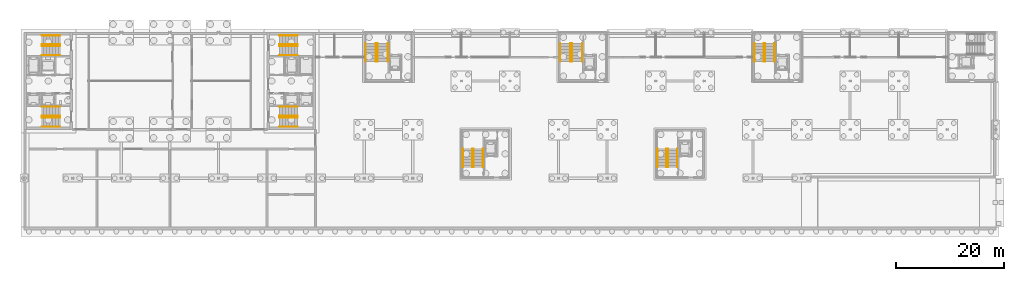
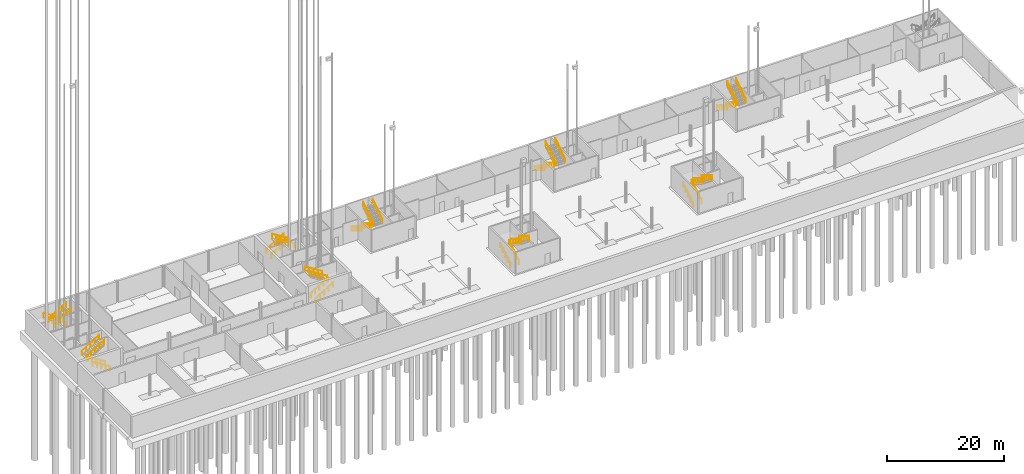
# One storey, part 38 of 41: 36 railings.
"""IFC4 building model written with IfcOpenShell, lengths in metres."""

from ifc_helpers import new_model, si_unit, direction, frame, origin, origin_2d, place, context, subcontext, project, spatial, circle, extrude, material, type_object, element, save


model = new_model("IFC4")

# Units and contexts
model_context = context("Model", 3, precision=1e-05, world=origin(), true_north=direction((0.0, 1.0)))
body_context = subcontext(model_context, "Body", "Model", "MODEL_VIEW")
ifc_project = project(units=[si_unit("LENGTHUNIT", "METRE"), si_unit("AREAUNIT", "SQUARE_METRE"), si_unit("VOLUMEUNIT", "CUBIC_METRE"), si_unit("PLANEANGLEUNIT", "RADIAN"), si_unit("MASSUNIT", "GRAM", prefix="KILO")], contexts=[model_context])

# Site, building, storey
site_placement = place(None, origin())
site = spatial("IfcSite", under=ifc_project, at=site_placement, CompositionType="ELEMENT")
building_placement = place(site_placement, origin())
building = spatial("IfcBuilding", under=site, at=building_placement, Name="Corbel Yard City Hall", CompositionType="ELEMENT")
storey_placement = place(building_placement, frame((0.0, 0.0, -4.5)))
storey = spatial("IfcBuildingStorey", under=building, at=storey_placement, Name="B1", CompositionType="ELEMENT", Elevation=-4.5)

# Railings
ifc_material = material(Name="Stainless steel Grade 316", Category="steel")
railing_type = type_object("IfcRailingType", Name="HR1", PredefinedType="HANDRAIL", material=ifc_material)
for number, where, name in (
    (1, (63.300048828125, 114.949951171875, 0.173095703125), "Exit stair handrail"),
    (2, (65.199951171875, 114.949951171875, 0.173095703125), "Exit stair handrail"),
):
    element("IfcRailing", number, at=place(storey_placement, frame(where)), inside=storey, type_object=railing_type, Name=name, PredefinedType="HANDRAIL", context=body_context, shape_type="SweptSolid", body=[
        extrude(circle(Radius=0.02392578125, at=origin_2d()), frame((0.0, 0.0, 0.8759765625), z_axis=(0.0, -0.850606129759, 0.525803396734), x_axis=(1.0, 0.0, 0.0)), (0.0, 0.0, 1.0), 3.949951171875),
        extrude(circle(Radius=0.02099609375, at=origin_2d()), origin(), (0.0, 0.0, 1.0), 0.851806640625),
        extrude(circle(Radius=0.02099609375, at=origin_2d()), frame((0.0, -0.83984375, 0.519287109375)), (0.0, 0.0, 1.0), 0.851806640625),
        extrude(circle(Radius=0.02099609375, at=origin_2d()), frame((0.0, -1.679931640625, 1.03857421875)), (0.0, 0.0, 1.0), 0.851806640625),
        extrude(circle(Radius=0.02099609375, at=origin_2d()), frame((0.0, -2.52001953125, 1.5576171875)), (0.0, 0.0, 1.0), 0.851806640625),
        extrude(circle(Radius=0.02099609375, at=origin_2d()), frame((0.0, -3.35986328125, 2.076904296875)), (0.0, 0.0, 1.0), 0.851806640625),
    ])
for number, where, name in (
    (3, (65.5, 111.590087890625, 2.423095703125), "Exit stair handrail"),
    (4, (67.39990234375, 111.590087890625, 2.423095703125), "Exit stair handrail"),
):
    element("IfcRailing", number, at=place(storey_placement, frame(where)), inside=storey, type_object=railing_type, Name=name, PredefinedType="HANDRAIL", context=body_context, shape_type="SweptSolid", body=[
        extrude(circle(Radius=0.02392578125, at=origin_2d()), frame((0.0, 0.0, 0.8759765625), z_axis=(0.0, 0.850606129759, 0.525803396734), x_axis=(-1.0, 0.0, 0.0)), (0.0, 0.0, 1.0), 3.949951171875),
        extrude(circle(Radius=0.02099609375, at=origin_2d()), origin(), (0.0, 0.0, 1.0), 0.851806640625),
        extrude(circle(Radius=0.02099609375, at=origin_2d()), frame((0.0, 0.83984375, 0.519287109375)), (0.0, 0.0, 1.0), 0.851806640625),
        extrude(circle(Radius=0.02099609375, at=origin_2d()), frame((0.0, 1.679931640625, 1.03857421875)), (0.0, 0.0, 1.0), 0.851806640625),
        extrude(circle(Radius=0.02099609375, at=origin_2d()), frame((0.0, 2.52001953125, 1.5576171875)), (0.0, 0.0, 1.0), 0.851806640625),
        extrude(circle(Radius=0.02099609375, at=origin_2d()), frame((0.0, 3.35986328125, 2.076904296875)), (0.0, 0.0, 1.0), 0.851806640625),
    ])
for number, where, name in (
    (5, (99.300048828125, 114.949951171875, 0.173095703125), "Exit stair handrail"),
    (6, (101.199951171875, 114.949951171875, 0.173095703125), "Exit stair handrail"),
):
    element("IfcRailing", number, at=place(storey_placement, frame(where)), inside=storey, type_object=railing_type, Name=name, PredefinedType="HANDRAIL", context=body_context, shape_type="SweptSolid", body=[
        extrude(circle(Radius=0.02392578125, at=origin_2d()), frame((0.0, 0.0, 0.8759765625), z_axis=(0.0, -0.850606129759, 0.525803396734), x_axis=(1.0, 0.0, 0.0)), (0.0, 0.0, 1.0), 3.949951171875),
        extrude(circle(Radius=0.02099609375, at=origin_2d()), origin(), (0.0, 0.0, 1.0), 0.851806640625),
        extrude(circle(Radius=0.02099609375, at=origin_2d()), frame((0.0, -0.83984375, 0.519287109375)), (0.0, 0.0, 1.0), 0.851806640625),
        extrude(circle(Radius=0.02099609375, at=origin_2d()), frame((0.0, -1.679931640625, 1.03857421875)), (0.0, 0.0, 1.0), 0.851806640625),
        extrude(circle(Radius=0.02099609375, at=origin_2d()), frame((0.0, -2.52001953125, 1.5576171875)), (0.0, 0.0, 1.0), 0.851806640625),
        extrude(circle(Radius=0.02099609375, at=origin_2d()), frame((0.0, -3.35986328125, 2.076904296875)), (0.0, 0.0, 1.0), 0.851806640625),
    ])
for number, where, name in (
    (7, (101.5, 111.590087890625, 2.423095703125), "Exit stair handrail"),
    (8, (103.39990234375, 111.590087890625, 2.423095703125), "Exit stair handrail"),
):
    element("IfcRailing", number, at=place(storey_placement, frame(where)), inside=storey, type_object=railing_type, Name=name, PredefinedType="HANDRAIL", context=body_context, shape_type="SweptSolid", body=[
        extrude(circle(Radius=0.02392578125, at=origin_2d()), frame((0.0, 0.0, 0.8759765625), z_axis=(0.0, 0.850606129759, 0.525803396734), x_axis=(-1.0, 0.0, 0.0)), (0.0, 0.0, 1.0), 3.949951171875),
        extrude(circle(Radius=0.02099609375, at=origin_2d()), origin(), (0.0, 0.0, 1.0), 0.851806640625),
        extrude(circle(Radius=0.02099609375, at=origin_2d()), frame((0.0, 0.83984375, 0.519287109375)), (0.0, 0.0, 1.0), 0.851806640625),
        extrude(circle(Radius=0.02099609375, at=origin_2d()), frame((0.0, 1.679931640625, 1.03857421875)), (0.0, 0.0, 1.0), 0.851806640625),
        extrude(circle(Radius=0.02099609375, at=origin_2d()), frame((0.0, 2.52001953125, 1.5576171875)), (0.0, 0.0, 1.0), 0.851806640625),
        extrude(circle(Radius=0.02099609375, at=origin_2d()), frame((0.0, 3.35986328125, 2.076904296875)), (0.0, 0.0, 1.0), 0.851806640625),
    ])
for number, where, name in (
    (9, (135.300048828125, 114.949951171875, 0.173095703125), "Exit stair handrail"),
    (10, (137.0, 114.949951171875, 0.173095703125), "Exit stair handrail"),
):
    element("IfcRailing", number, at=place(storey_placement, frame(where)), inside=storey, type_object=railing_type, Name=name, PredefinedType="HANDRAIL", context=body_context, shape_type="SweptSolid", body=[
        extrude(circle(Radius=0.02392578125, at=origin_2d()), frame((0.0, 0.0, 0.8759765625), z_axis=(0.0, -0.850606129759, 0.525803396734), x_axis=(1.0, 0.0, 0.0)), (0.0, 0.0, 1.0), 3.949951171875),
        extrude(circle(Radius=0.02099609375, at=origin_2d()), origin(), (0.0, 0.0, 1.0), 0.851806640625),
        extrude(circle(Radius=0.02099609375, at=origin_2d()), frame((0.0, -0.83984375, 0.519287109375)), (0.0, 0.0, 1.0), 0.851806640625),
        extrude(circle(Radius=0.02099609375, at=origin_2d()), frame((0.0, -1.679931640625, 1.03857421875)), (0.0, 0.0, 1.0), 0.851806640625),
        extrude(circle(Radius=0.02099609375, at=origin_2d()), frame((0.0, -2.52001953125, 1.5576171875)), (0.0, 0.0, 1.0), 0.851806640625),
        extrude(circle(Radius=0.02099609375, at=origin_2d()), frame((0.0, -3.35986328125, 2.076904296875)), (0.0, 0.0, 1.0), 0.851806640625),
    ])
for number, where, name in (
    (11, (137.300048828125, 111.590087890625, 2.423095703125), "Exit stair handrail"),
    (12, (139.0, 111.590087890625, 2.423095703125), "Exit stair handrail"),
    (13, (81.300048828125, 92.050048828125, 0.173095703125), "Exit stair handrail"),
    (14, (83.0, 92.050048828125, 0.173095703125), "Exit stair handrail"),
):
    element("IfcRailing", number, at=place(storey_placement, frame(where)), inside=storey, type_object=railing_type, Name=name, PredefinedType="HANDRAIL", context=body_context, shape_type="SweptSolid", body=[
        extrude(circle(Radius=0.02392578125, at=origin_2d()), frame((0.0, 0.0, 0.8759765625), z_axis=(0.0, 0.850606129759, 0.525803396734), x_axis=(-1.0, 0.0, 0.0)), (0.0, 0.0, 1.0), 3.949951171875),
        extrude(circle(Radius=0.02099609375, at=origin_2d()), origin(), (0.0, 0.0, 1.0), 0.851806640625),
        extrude(circle(Radius=0.02099609375, at=origin_2d()), frame((0.0, 0.83984375, 0.519287109375)), (0.0, 0.0, 1.0), 0.851806640625),
        extrude(circle(Radius=0.02099609375, at=origin_2d()), frame((0.0, 1.679931640625, 1.03857421875)), (0.0, 0.0, 1.0), 0.851806640625),
        extrude(circle(Radius=0.02099609375, at=origin_2d()), frame((0.0, 2.52001953125, 1.5576171875)), (0.0, 0.0, 1.0), 0.851806640625),
        extrude(circle(Radius=0.02099609375, at=origin_2d()), frame((0.0, 3.35986328125, 2.076904296875)), (0.0, 0.0, 1.0), 0.851806640625),
    ])
for number, where, name in (
    (15, (83.300048828125, 95.409912109375, 2.423095703125), "Exit stair handrail"),
    (16, (85.0, 95.409912109375, 2.423095703125), "Exit stair handrail"),
):
    element("IfcRailing", number, at=place(storey_placement, frame(where)), inside=storey, type_object=railing_type, Name=name, PredefinedType="HANDRAIL", context=body_context, shape_type="SweptSolid", body=[
        extrude(circle(Radius=0.02392578125, at=origin_2d()), frame((0.0, 0.0, 0.8759765625), z_axis=(0.0, -0.850606129759, 0.525803396734), x_axis=(1.0, 0.0, 0.0)), (0.0, 0.0, 1.0), 3.949951171875),
        extrude(circle(Radius=0.02099609375, at=origin_2d()), origin(), (0.0, 0.0, 1.0), 0.851806640625),
        extrude(circle(Radius=0.02099609375, at=origin_2d()), frame((0.0, -0.83984375, 0.519287109375)), (0.0, 0.0, 1.0), 0.851806640625),
        extrude(circle(Radius=0.02099609375, at=origin_2d()), frame((0.0, -1.679931640625, 1.03857421875)), (0.0, 0.0, 1.0), 0.851806640625),
        extrude(circle(Radius=0.02099609375, at=origin_2d()), frame((0.0, -2.52001953125, 1.5576171875)), (0.0, 0.0, 1.0), 0.851806640625),
        extrude(circle(Radius=0.02099609375, at=origin_2d()), frame((0.0, -3.35986328125, 2.076904296875)), (0.0, 0.0, 1.0), 0.851806640625),
    ])
for number, where, name in (
    (17, (117.300048828125, 92.050048828125, 0.173095703125), "Exit stair handrail"),
    (18, (119.0, 92.050048828125, 0.173095703125), "Exit stair handrail"),
):
    element("IfcRailing", number, at=place(storey_placement, frame(where)), inside=storey, type_object=railing_type, Name=name, PredefinedType="HANDRAIL", context=body_context, shape_type="SweptSolid", body=[
        extrude(circle(Radius=0.02392578125, at=origin_2d()), frame((0.0, 0.0, 0.8759765625), z_axis=(0.0, 0.850606129759, 0.525803396734), x_axis=(-1.0, 0.0, 0.0)), (0.0, 0.0, 1.0), 3.949951171875),
        extrude(circle(Radius=0.02099609375, at=origin_2d()), origin(), (0.0, 0.0, 1.0), 0.851806640625),
        extrude(circle(Radius=0.02099609375, at=origin_2d()), frame((0.0, 0.83984375, 0.519287109375)), (0.0, 0.0, 1.0), 0.851806640625),
        extrude(circle(Radius=0.02099609375, at=origin_2d()), frame((0.0, 1.679931640625, 1.03857421875)), (0.0, 0.0, 1.0), 0.851806640625),
        extrude(circle(Radius=0.02099609375, at=origin_2d()), frame((0.0, 2.52001953125, 1.5576171875)), (0.0, 0.0, 1.0), 0.851806640625),
        extrude(circle(Radius=0.02099609375, at=origin_2d()), frame((0.0, 3.35986328125, 2.076904296875)), (0.0, 0.0, 1.0), 0.851806640625),
    ])
for number, where, name in (
    (19, (119.300048828125, 95.409912109375, 2.423095703125), "Exit stair handrail"),
    (20, (121.0, 95.409912109375, 2.423095703125), "Exit stair handrail"),
):
    element("IfcRailing", number, at=place(storey_placement, frame(where)), inside=storey, type_object=railing_type, Name=name, PredefinedType="HANDRAIL", context=body_context, shape_type="SweptSolid", body=[
        extrude(circle(Radius=0.02392578125, at=origin_2d()), frame((0.0, 0.0, 0.8759765625), z_axis=(0.0, -0.850606129759, 0.525803396734), x_axis=(1.0, 0.0, 0.0)), (0.0, 0.0, 1.0), 3.949951171875),
        extrude(circle(Radius=0.02099609375, at=origin_2d()), origin(), (0.0, 0.0, 1.0), 0.851806640625),
        extrude(circle(Radius=0.02099609375, at=origin_2d()), frame((0.0, -0.83984375, 0.519287109375)), (0.0, 0.0, 1.0), 0.851806640625),
        extrude(circle(Radius=0.02099609375, at=origin_2d()), frame((0.0, -1.679931640625, 1.03857421875)), (0.0, 0.0, 1.0), 0.851806640625),
        extrude(circle(Radius=0.02099609375, at=origin_2d()), frame((0.0, -2.52001953125, 1.5576171875)), (0.0, 0.0, 1.0), 0.851806640625),
        extrude(circle(Radius=0.02099609375, at=origin_2d()), frame((0.0, -3.35986328125, 2.076904296875)), (0.0, 0.0, 1.0), 0.851806640625),
    ])
for number, where, name in (
    (21, (6.699951171875, 99.550048828125, 0.173095703125), "Exit stair ST-W1 handrail"),
    (22, (6.699951171875, 101.25, 0.173095703125), "Exit stair ST-W1 handrail"),
):
    element("IfcRailing", number, at=place(storey_placement, frame(where)), inside=storey, type_object=railing_type, Name=name, PredefinedType="HANDRAIL", context=body_context, shape_type="SweptSolid", body=[
        extrude(circle(Radius=0.02392578125, at=origin_2d()), frame((0.0, 0.0, 0.8759765625), z_axis=(-0.850606129759, 0.0, 0.525803396734), x_axis=(0.0, -1.0, 0.0)), (0.0, 0.0, 1.0), 3.949951171875),
        extrude(circle(Radius=0.02099609375, at=origin_2d()), origin(), (0.0, 0.0, 1.0), 0.851806640625),
        extrude(circle(Radius=0.02099609375, at=origin_2d()), frame((-0.83984375, 0.0, 0.519287109375)), (0.0, 0.0, 1.0), 0.851806640625),
        extrude(circle(Radius=0.02099609375, at=origin_2d()), frame((-1.679931640625, 0.0, 1.03857421875)), (0.0, 0.0, 1.0), 0.851806640625),
        extrude(circle(Radius=0.02099609375, at=origin_2d()), frame((-2.52001953125, 0.0, 1.5576171875)), (0.0, 0.0, 1.0), 0.851806640625),
        extrude(circle(Radius=0.02099609375, at=origin_2d()), frame((-3.35986328125, 0.0, 2.076904296875)), (0.0, 0.0, 1.0), 0.851806640625),
    ])
for number, where, name in (
    (23, (3.340087890625, 101.550048828125, 2.423095703125), "Exit stair ST-W1 handrail"),
    (24, (3.340087890625, 103.25, 2.423095703125), "Exit stair ST-W1 handrail"),
):
    element("IfcRailing", number, at=place(storey_placement, frame(where)), inside=storey, type_object=railing_type, Name=name, PredefinedType="HANDRAIL", context=body_context, shape_type="SweptSolid", body=[
        extrude(circle(Radius=0.02392578125, at=origin_2d()), frame((0.0, 0.0, 0.8759765625), z_axis=(0.850606129759, 0.0, 0.525803396734), x_axis=(0.0, 1.0, 0.0)), (0.0, 0.0, 1.0), 3.949951171875),
        extrude(circle(Radius=0.02099609375, at=origin_2d()), origin(), (0.0, 0.0, 1.0), 0.851806640625),
        extrude(circle(Radius=0.02099609375, at=origin_2d()), frame((0.83984375, 0.0, 0.519287109375)), (0.0, 0.0, 1.0), 0.851806640625),
        extrude(circle(Radius=0.02099609375, at=origin_2d()), frame((1.679931640625, 0.0, 1.03857421875)), (0.0, 0.0, 1.0), 0.851806640625),
        extrude(circle(Radius=0.02099609375, at=origin_2d()), frame((2.52001953125, 0.0, 1.5576171875)), (0.0, 0.0, 1.0), 0.851806640625),
        extrude(circle(Radius=0.02099609375, at=origin_2d()), frame((3.35986328125, 0.0, 2.076904296875)), (0.0, 0.0, 1.0), 0.851806640625),
    ])
for number, where, name in (
    (25, (6.699951171875, 116.449951171875, 0.173095703125), "Exit stair ST-W2 handrail"),
    (26, (6.699951171875, 114.75, 0.173095703125), "Exit stair ST-W2 handrail"),
):
    element("IfcRailing", number, at=place(storey_placement, frame(where)), inside=storey, type_object=railing_type, Name=name, PredefinedType="HANDRAIL", context=body_context, shape_type="SweptSolid", body=[
        extrude(circle(Radius=0.02392578125, at=origin_2d()), frame((0.0, 0.0, 0.8759765625), z_axis=(-0.850606129759, 0.0, 0.525803396734), x_axis=(0.0, -1.0, 0.0)), (0.0, 0.0, 1.0), 3.949951171875),
        extrude(circle(Radius=0.02099609375, at=origin_2d()), origin(), (0.0, 0.0, 1.0), 0.851806640625),
        extrude(circle(Radius=0.02099609375, at=origin_2d()), frame((-0.83984375, 0.0, 0.519287109375)), (0.0, 0.0, 1.0), 0.851806640625),
        extrude(circle(Radius=0.02099609375, at=origin_2d()), frame((-1.679931640625, 0.0, 1.03857421875)), (0.0, 0.0, 1.0), 0.851806640625),
        extrude(circle(Radius=0.02099609375, at=origin_2d()), frame((-2.52001953125, 0.0, 1.5576171875)), (0.0, 0.0, 1.0), 0.851806640625),
        extrude(circle(Radius=0.02099609375, at=origin_2d()), frame((-3.35986328125, 0.0, 2.076904296875)), (0.0, 0.0, 1.0), 0.851806640625),
    ])
for number, where, name in (
    (27, (3.340087890625, 114.449951171875, 2.423095703125), "Exit stair ST-W2 handrail"),
    (28, (3.340087890625, 112.75, 2.423095703125), "Exit stair ST-W2 handrail"),
    (29, (47.300048828125, 99.550048828125, 0.173095703125), "Exit stair ST-E1 handrail"),
    (30, (47.300048828125, 101.25, 0.173095703125), "Exit stair ST-E1 handrail"),
):
    element("IfcRailing", number, at=place(storey_placement, frame(where)), inside=storey, type_object=railing_type, Name=name, PredefinedType="HANDRAIL", context=body_context, shape_type="SweptSolid", body=[
        extrude(circle(Radius=0.02392578125, at=origin_2d()), frame((0.0, 0.0, 0.8759765625), z_axis=(0.850606129759, 0.0, 0.525803396734), x_axis=(0.0, 1.0, 0.0)), (0.0, 0.0, 1.0), 3.949951171875),
        extrude(circle(Radius=0.02099609375, at=origin_2d()), origin(), (0.0, 0.0, 1.0), 0.851806640625),
        extrude(circle(Radius=0.02099609375, at=origin_2d()), frame((0.83984375, 0.0, 0.519287109375)), (0.0, 0.0, 1.0), 0.851806640625),
        extrude(circle(Radius=0.02099609375, at=origin_2d()), frame((1.679931640625, 0.0, 1.03857421875)), (0.0, 0.0, 1.0), 0.851806640625),
        extrude(circle(Radius=0.02099609375, at=origin_2d()), frame((2.52001953125, 0.0, 1.5576171875)), (0.0, 0.0, 1.0), 0.851806640625),
        extrude(circle(Radius=0.02099609375, at=origin_2d()), frame((3.35986328125, 0.0, 2.076904296875)), (0.0, 0.0, 1.0), 0.851806640625),
    ])
for number, where, name in (
    (31, (50.659912109375, 101.550048828125, 2.423095703125), "Exit stair ST-E1 handrail"),
    (32, (50.659912109375, 103.25, 2.423095703125), "Exit stair ST-E1 handrail"),
):
    element("IfcRailing", number, at=place(storey_placement, frame(where)), inside=storey, type_object=railing_type, Name=name, PredefinedType="HANDRAIL", context=body_context, shape_type="SweptSolid", body=[
        extrude(circle(Radius=0.02392578125, at=origin_2d()), frame((0.0, 0.0, 0.8759765625), z_axis=(-0.850606129759, 0.0, 0.525803396734), x_axis=(0.0, -1.0, 0.0)), (0.0, 0.0, 1.0), 3.949951171875),
        extrude(circle(Radius=0.02099609375, at=origin_2d()), origin(), (0.0, 0.0, 1.0), 0.851806640625),
        extrude(circle(Radius=0.02099609375, at=origin_2d()), frame((-0.83984375, 0.0, 0.519287109375)), (0.0, 0.0, 1.0), 0.851806640625),
        extrude(circle(Radius=0.02099609375, at=origin_2d()), frame((-1.679931640625, 0.0, 1.03857421875)), (0.0, 0.0, 1.0), 0.851806640625),
        extrude(circle(Radius=0.02099609375, at=origin_2d()), frame((-2.52001953125, 0.0, 1.5576171875)), (0.0, 0.0, 1.0), 0.851806640625),
        extrude(circle(Radius=0.02099609375, at=origin_2d()), frame((-3.35986328125, 0.0, 2.076904296875)), (0.0, 0.0, 1.0), 0.851806640625),
    ])
for number, where, name in (
    (33, (47.300048828125, 116.449951171875, 0.173095703125), "Exit stair ST-E2 handrail"),
    (34, (47.300048828125, 114.75, 0.173095703125), "Exit stair ST-E2 handrail"),
):
    element("IfcRailing", number, at=place(storey_placement, frame(where)), inside=storey, type_object=railing_type, Name=name, PredefinedType="HANDRAIL", context=body_context, shape_type="SweptSolid", body=[
        extrude(circle(Radius=0.02392578125, at=origin_2d()), frame((0.0, 0.0, 0.8759765625), z_axis=(0.850606129759, 0.0, 0.525803396734), x_axis=(0.0, 1.0, 0.0)), (0.0, 0.0, 1.0), 3.949951171875),
        extrude(circle(Radius=0.02099609375, at=origin_2d()), origin(), (0.0, 0.0, 1.0), 0.851806640625),
        extrude(circle(Radius=0.02099609375, at=origin_2d()), frame((0.83984375, 0.0, 0.519287109375)), (0.0, 0.0, 1.0), 0.851806640625),
        extrude(circle(Radius=0.02099609375, at=origin_2d()), frame((1.679931640625, 0.0, 1.03857421875)), (0.0, 0.0, 1.0), 0.851806640625),
        extrude(circle(Radius=0.02099609375, at=origin_2d()), frame((2.52001953125, 0.0, 1.5576171875)), (0.0, 0.0, 1.0), 0.851806640625),
        extrude(circle(Radius=0.02099609375, at=origin_2d()), frame((3.35986328125, 0.0, 2.076904296875)), (0.0, 0.0, 1.0), 0.851806640625),
    ])
for number, where, name in (
    (35, (50.659912109375, 114.449951171875, 2.423095703125), "Exit stair ST-E2 handrail"),
    (36, (50.659912109375, 112.75, 2.423095703125), "Exit stair ST-E2 handrail"),
):
    element("IfcRailing", number, at=place(storey_placement, frame(where)), inside=storey, type_object=railing_type, Name=name, PredefinedType="HANDRAIL", context=body_context, shape_type="SweptSolid", body=[
        extrude(circle(Radius=0.02392578125, at=origin_2d()), frame((0.0, 0.0, 0.8759765625), z_axis=(-0.850606129759, 0.0, 0.525803396734), x_axis=(0.0, -1.0, 0.0)), (0.0, 0.0, 1.0), 3.949951171875),
        extrude(circle(Radius=0.02099609375, at=origin_2d()), origin(), (0.0, 0.0, 1.0), 0.851806640625),
        extrude(circle(Radius=0.02099609375, at=origin_2d()), frame((-0.83984375, 0.0, 0.519287109375)), (0.0, 0.0, 1.0), 0.851806640625),
        extrude(circle(Radius=0.02099609375, at=origin_2d()), frame((-1.679931640625, 0.0, 1.03857421875)), (0.0, 0.0, 1.0), 0.851806640625),
        extrude(circle(Radius=0.02099609375, at=origin_2d()), frame((-2.52001953125, 0.0, 1.5576171875)), (0.0, 0.0, 1.0), 0.851806640625),
        extrude(circle(Radius=0.02099609375, at=origin_2d()), frame((-3.35986328125, 0.0, 2.076904296875)), (0.0, 0.0, 1.0), 0.851806640625),
    ])

save(model, "model.ifc")
